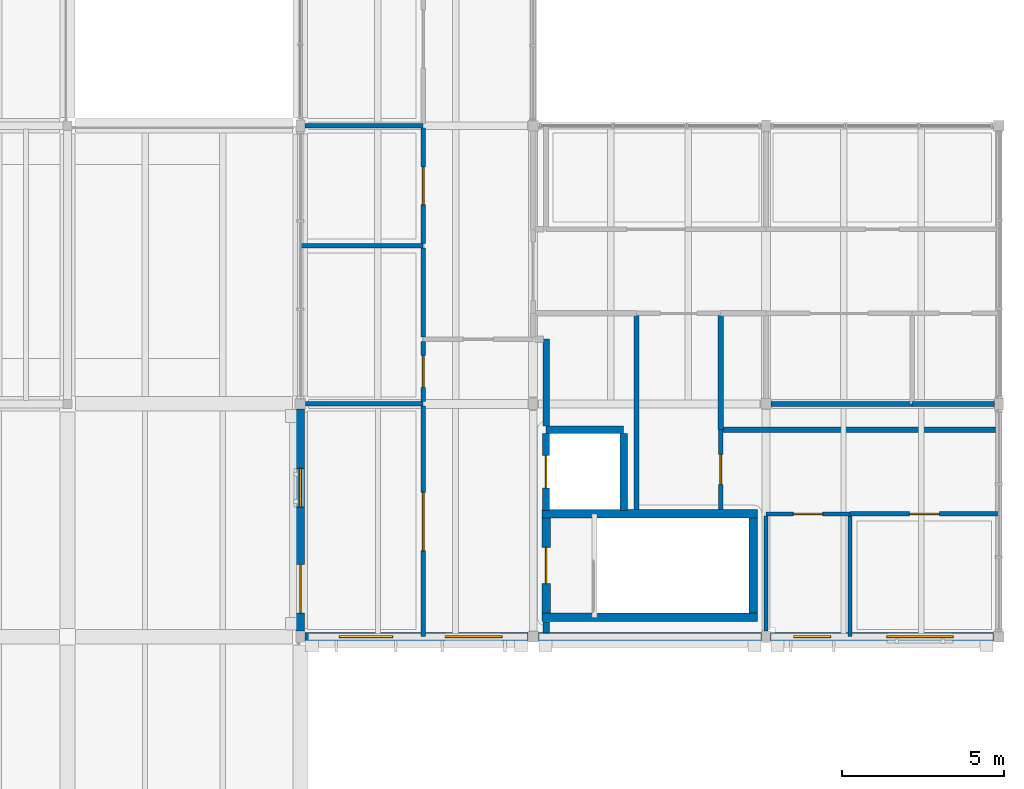
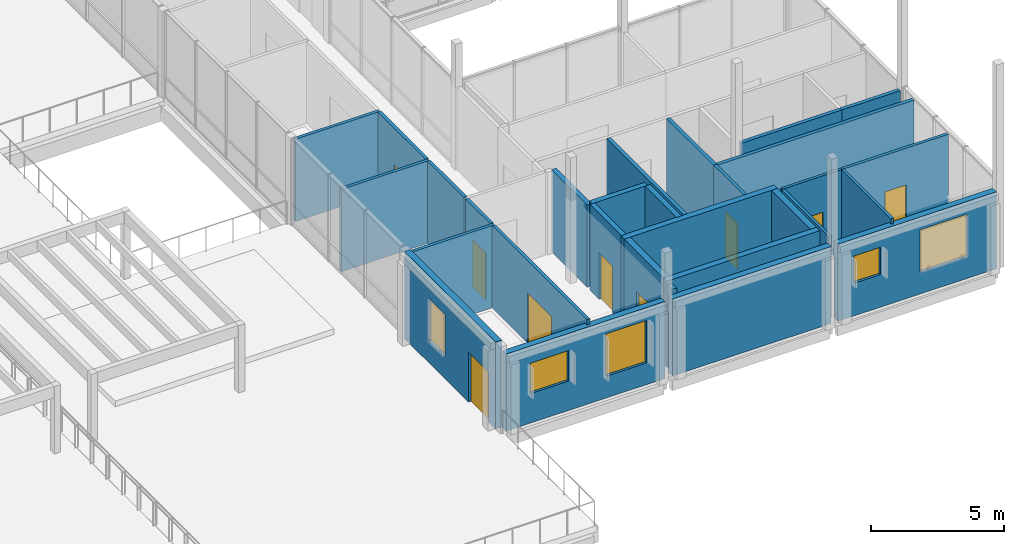
# One storey, part 92 of 115: 30 walls, 9 doors, 5 windows, 14 openings.
"""IFC4 building model written with IfcOpenShell, lengths in metres."""

from ifc_helpers import new_model, si_unit, direction, frame, frame_2d, origin, place, context, subcontext, project, spatial, rectangle, extrude, material, layer, layer_set, type_object, element, fill, save


model = new_model("IFC4")

# Units and contexts
model_context = context("Model", 3, precision=1e-05, world=origin(), true_north=direction((0.0, 1.0)))
body_context = subcontext(model_context, "Body", "Model", "MODEL_VIEW")
ifc_project = project(units=[si_unit("LENGTHUNIT", "METRE"), si_unit("AREAUNIT", "SQUARE_METRE"), si_unit("VOLUMEUNIT", "CUBIC_METRE"), si_unit("PLANEANGLEUNIT", "RADIAN"), si_unit("MASSUNIT", "GRAM", prefix="KILO")], contexts=[model_context])

# Site, building, storey
site_placement = place(None, origin())
site = spatial("IfcSite", under=ifc_project, at=site_placement, CompositionType="ELEMENT")
building_placement = place(site_placement, origin())
building = spatial("IfcBuilding", under=site, at=building_placement, Name="Hawrajan Terrace Health Centre", CompositionType="ELEMENT")
storey_placement = place(building_placement, frame((0.0, 0.0, 9.0)))
storey = spatial("IfcBuildingStorey", under=building, at=storey_placement, Name="L02", CompositionType="ELEMENT", Elevation=9.0)

# Walls
ifc_material_1 = material(Name="Gypsum board on acoustic stud framing")
ifc_layer_1 = layer(ifc_material_1, 0.139892578125)
ifc_layer_set_1 = layer_set([ifc_layer_1], Name="Gypsum board on acoustic stud framing")
wall_type_1 = type_object("IfcWallType", Name="ClinicalAcousticWall_140", PredefinedType="PARTITIONING", material=ifc_layer_set_1)
wall_1_placement = place(storey_placement, frame((143.9599609375, 18.60009765625, 0.0), z_axis=(0.0, 0.0, 1.0), x_axis=(1.0, 0.0, 0.0)))
element("IfcWall", 1, at=wall_1_placement, inside=storey, type_object=wall_type_1, Name="Interior wall IW-L02-1163", PredefinedType="PARTITIONING", context=body_context, shape_type="SweptSolid", body=[
    extrude(rectangle(XDim=3.64013671875, YDim=0.139892578125, at=frame_2d((1.820068359375, 0.0))), origin(), (0.0, 0.0, 1.0), 3.780029296875),
])
wall_2_placement = place(storey_placement, frame((143.800048828125, 23.485107421875, 0.0), z_axis=(0.0, 0.0, 1.0), x_axis=(1.0, 0.0, 0.0)))
element("IfcWall", 2, at=wall_2_placement, inside=storey, type_object=wall_type_1, Name="Interior wall IW-L02-1164", PredefinedType="PARTITIONING", context=body_context, shape_type="SweptSolid", body=[
    extrude(rectangle(XDim=3.800048828125, YDim=0.139892578125, at=frame_2d((1.89990234375, 0.0))), origin(), (0.0, 0.0, 1.0), 3.780029296875),
])
wall_3_placement = place(storey_placement, frame((143.93994140625, 27.199951171875, 0.0), z_axis=(0.0, 0.0, 1.0), x_axis=(1.0, 0.0, 0.0)))
element("IfcWall", 3, at=wall_3_placement, inside=storey, type_object=wall_type_1, Name="Interior wall IW-L02-1165", PredefinedType="PARTITIONING", context=body_context, shape_type="SweptSolid", body=[
    extrude(rectangle(XDim=3.66015625, YDim=0.139892578125, at=frame_2d((1.830078125, 0.0))), origin(), (0.0, 0.0, 1.0), 3.780029296875),
])

# Wall, opening, door
wall_4_placement = place(storey_placement, frame((147.60009765625, 11.39990234375, 0.0), z_axis=(0.0, 0.0, 1.0), x_axis=(0.0, 1.0, 0.0)))
wall_4 = element("IfcWall", 4, at=wall_4_placement, inside=storey, type_object=wall_type_1, Name="Interior wall IW-L02-1170", PredefinedType="PARTITIONING", context=body_context, shape_type="SweptSolid", body=[
    extrude(rectangle(XDim=7.130126953125, YDim=0.139892578125, at=frame_2d((3.56494140625, 0.0))), origin(), (0.0, 0.0, 1.0), 3.780029296875),
])
opening_1_placement = place(wall_4_placement, frame((2.6650390625, 0.0, 0.0)))
opening_1 = element("IfcOpeningElement", 5, at=opening_1_placement, cuts=wall_4, Name="Opening D-L02-545", PredefinedType="OPENING", context=body_context, shape_type="SweptSolid", body=[
    extrude(rectangle(XDim=1.800048828125, YDim=2.300048828125, at=frame_2d((0.89990234375, 1.14990234375))), frame((0.0, 0.079833984375, 0.0), z_axis=(0.0, -1.0, 0.0), x_axis=(1.0, 0.0, 0.0)), (0.0, 0.0, 1.0), 0.159912109375),
])
ifc_material_2 = material(Name="Hardwood acoustic clinical door leaf and frame", Category="wood")
door_type_1 = type_object("IfcDoorType", Name="EducationHallDoor_1800x2300", OperationType="DOUBLE_DOOR_SINGLE_SWING", PredefinedType="DOOR", material=ifc_material_2)
door_1_placement = place(opening_1_placement, origin())
door_1 = element("IfcDoor", 6, at=door_1_placement, inside=storey, type_object=door_type_1, Name="Interior door D-L02-545", OperationType="DOUBLE_DOOR_SINGLE_SWING", OverallHeight=2.300048828125, OverallWidth=1.800048828125, PredefinedType="DOOR", context=body_context, shape_type="SweptSolid", body=[
    extrude(rectangle(XDim=1.800048828125, YDim=2.300048828125, at=frame_2d((0.89990234375, 1.14990234375))), frame((0.0, 0.02490234375, 0.0), z_axis=(0.0, -1.0, 0.0), x_axis=(1.0, 0.0, 0.0)), (0.0, 0.0, 1.0), 0.050048828125),
])
fill(opening_1, door_1)

wall_5_placement = place(storey_placement, frame((147.60009765625, 18.669921875, 0.0), z_axis=(0.0, 0.0, 1.0), x_axis=(0.0, 1.0, 0.0)))
wall_5 = element("IfcWall", 7, at=wall_5_placement, inside=storey, type_object=wall_type_1, Name="Interior wall IW-L02-1171", PredefinedType="PARTITIONING", context=body_context, shape_type="SweptSolid", body=[
    extrude(rectangle(XDim=1.860107421875, YDim=0.139892578125, at=frame_2d((0.93017578125, 0.0))), origin(), (0.0, 0.0, 1.0), 3.780029296875),
])
opening_2_placement = place(wall_5_placement, frame((0.43994140625, 0.0, 0.0)))
opening_2 = element("IfcOpeningElement", 8, at=opening_2_placement, cuts=wall_5, Name="Opening D-L02-546", PredefinedType="OPENING", context=body_context, shape_type="SweptSolid", body=[
    extrude(rectangle(XDim=0.97998046875, YDim=2.14990234375, at=frame_2d((0.489990234375, 1.074951171875))), frame((0.0, 0.079833984375, 0.0), z_axis=(0.0, -1.0, 0.0), x_axis=(1.0, 0.0, 0.0)), (0.0, 0.0, 1.0), 0.159912109375),
])
door_type_2 = type_object("IfcDoorType", Name="ConsultDoor_980x2150", OperationType="NOTDEFINED", PredefinedType="DOOR", material=ifc_material_2)
door_2_placement = place(opening_2_placement, origin())
door_2 = element("IfcDoor", 9, at=door_2_placement, inside=storey, type_object=door_type_2, Name="Interior door D-L02-546", OperationType="SINGLE_SWING_RIGHT", OverallHeight=2.14990234375, OverallWidth=0.97998046875, PredefinedType="DOOR", context=body_context, shape_type="SweptSolid", body=[
    extrude(rectangle(XDim=0.97998046875, YDim=2.14990234375, at=frame_2d((0.489990234375, 1.074951171875))), frame((0.0, 0.02490234375, 0.0), z_axis=(0.0, -1.0, 0.0), x_axis=(1.0, 0.0, 0.0)), (0.0, 0.0, 1.0), 0.050048828125),
])
fill(opening_2, door_2)

# Wall
wall_6_placement = place(storey_placement, frame((147.60009765625, 20.669921875, 0.0), z_axis=(0.0, 0.0, 1.0), x_axis=(0.0, 1.0, 0.0)))
element("IfcWall", 10, at=wall_6_placement, inside=storey, type_object=wall_type_1, Name="Interior wall IW-L02-1172", PredefinedType="PARTITIONING", context=body_context, shape_type="SweptSolid", body=[
    extrude(rectangle(XDim=2.7451171875, YDim=0.139892578125, at=frame_2d((1.37255859375, 0.0))), origin(), (0.0, 0.0, 1.0), 3.780029296875),
])

# Wall, opening, door
wall_7_placement = place(storey_placement, frame((147.60009765625, 23.554931640625, 0.0), z_axis=(0.0, 0.0, 1.0), x_axis=(0.0, 1.0, 0.0)))
wall_7 = element("IfcWall", 11, at=wall_7_placement, inside=storey, type_object=wall_type_1, Name="Interior wall IW-L02-1174", PredefinedType="PARTITIONING", context=body_context, shape_type="SweptSolid", body=[
    extrude(rectangle(XDim=3.574951171875, YDim=0.139892578125, at=frame_2d((1.78759765625, 0.0))), origin(), (0.0, 0.0, 1.0), 3.780029296875),
])
opening_3_placement = place(wall_7_placement, frame((1.20751953125, 0.0, 0.0)))
opening_3 = element("IfcOpeningElement", 12, at=opening_3_placement, cuts=wall_7, Name="Opening D-L02-547", PredefinedType="OPENING", context=body_context, shape_type="SweptSolid", body=[
    extrude(rectangle(XDim=1.159912109375, YDim=2.10009765625, at=frame_2d((0.580078125, 1.050048828125))), frame((0.0, 0.079833984375, 0.0), z_axis=(0.0, -1.0, 0.0), x_axis=(1.0, 0.0, 0.0)), (0.0, 0.0, 1.0), 0.159912109375),
])
door_type_3 = type_object("IfcDoorType", Name="ConsultDoor_1160x2100", OperationType="NOTDEFINED", PredefinedType="DOOR", material=ifc_material_2)
door_3_placement = place(opening_3_placement, origin())
door_3 = element("IfcDoor", 13, at=door_3_placement, inside=storey, type_object=door_type_3, Name="Interior door D-L02-547", OperationType="SINGLE_SWING_LEFT", OverallHeight=2.10009765625, OverallWidth=1.159912109375, PredefinedType="DOOR", context=body_context, shape_type="SweptSolid", body=[
    extrude(rectangle(XDim=1.159912109375, YDim=2.10009765625, at=frame_2d((0.580078125, 1.050048828125))), frame((0.0, 0.02490234375, 0.0), z_axis=(0.0, -1.0, 0.0), x_axis=(1.0, 0.0, 0.0)), (0.0, 0.0, 1.0), 0.050048828125),
])
fill(opening_3, door_3)

wall_8_placement = place(storey_placement, frame((156.800048828125, 15.340087890625, 0.0), z_axis=(0.0, 0.0, 1.0), x_axis=(0.0, 1.0, 0.0)))
wall_8 = element("IfcWall", 14, at=wall_8_placement, inside=storey, type_object=wall_type_1, Name="Interior wall IW-L02-1191", PredefinedType="PARTITIONING", context=body_context, shape_type="SweptSolid", body=[
    extrude(rectangle(XDim=2.4599609375, YDim=0.139892578125, at=frame_2d((1.22998046875, 0.0))), origin(), (0.0, 0.0, 1.0), 3.780029296875),
])
opening_4_placement = place(wall_8_placement, frame((0.77001953125, 0.0, 0.0)))
opening_4 = element("IfcOpeningElement", 15, at=opening_4_placement, cuts=wall_8, Name="Opening D-L02-456", PredefinedType="OPENING", context=body_context, shape_type="SweptSolid", body=[
    extrude(rectangle(XDim=0.919921875, YDim=2.10009765625, at=frame_2d((0.4599609375, 1.050048828125))), frame((0.0, 0.079833984375, 0.0), z_axis=(0.0, -1.0, 0.0), x_axis=(1.0, 0.0, 0.0)), (0.0, 0.0, 1.0), 0.159912109375),
])
door_type_4 = type_object("IfcDoorType", Name="StaffOfficeDoor_920x2100", OperationType="NOTDEFINED", PredefinedType="DOOR", material=ifc_material_2)
door_4_placement = place(opening_4_placement, origin())
door_4 = element("IfcDoor", 16, at=door_4_placement, inside=storey, type_object=door_type_4, Name="Interior door D-L02-456", OperationType="SINGLE_SWING_RIGHT", OverallHeight=2.10009765625, OverallWidth=0.919921875, PredefinedType="DOOR", context=body_context, shape_type="SweptSolid", body=[
    extrude(rectangle(XDim=0.919921875, YDim=2.10009765625, at=frame_2d((0.4599609375, 1.050048828125))), frame((0.0, 0.02490234375, 0.0), z_axis=(0.0, -1.0, 0.0), x_axis=(1.0, 0.0, 0.0)), (0.0, 0.0, 1.0), 0.050048828125),
])
fill(opening_4, door_4)

wall_9_placement = place(storey_placement, frame((160.800048828125, 15.199951171875, 0.0), z_axis=(0.0, 0.0, 1.0), x_axis=(1.0, 0.0, 0.0)))
wall_9 = element("IfcWall", 17, at=wall_9_placement, inside=storey, type_object=wall_type_1, Name="Interior wall IW-L02-1202", PredefinedType="PARTITIONING", context=body_context, shape_type="SweptSolid", body=[
    extrude(rectangle(XDim=4.599853515625, YDim=0.139892578125, at=frame_2d((2.2998046875, 0.0))), origin(), (0.0, 0.0, 1.0), 3.780029296875),
])
opening_5_placement = place(wall_9_placement, frame((1.840087890625, 0.0, 0.0)))
opening_5 = element("IfcOpeningElement", 18, at=opening_5_placement, cuts=wall_9, Name="Opening D-L02-556", PredefinedType="OPENING", context=body_context, shape_type="SweptSolid", body=[
    extrude(rectangle(XDim=0.919921875, YDim=2.10009765625, at=frame_2d((0.4599609375, 1.050048828125))), frame((0.0, 0.079833984375, 0.0), z_axis=(0.0, -1.0, 0.0), x_axis=(1.0, 0.0, 0.0)), (0.0, 0.0, 1.0), 0.159912109375),
])
door_5_placement = place(opening_5_placement, origin())
door_5 = element("IfcDoor", 19, at=door_5_placement, inside=storey, type_object=door_type_4, Name="Interior door D-L02-556", OperationType="SINGLE_SWING_RIGHT", OverallHeight=2.10009765625, OverallWidth=0.919921875, PredefinedType="DOOR", context=body_context, shape_type="SweptSolid", body=[
    extrude(rectangle(XDim=0.919921875, YDim=2.10009765625, at=frame_2d((0.4599609375, 1.050048828125))), frame((0.0, 0.02490234375, 0.0), z_axis=(0.0, -1.0, 0.0), x_axis=(1.0, 0.0, 0.0)), (0.0, 0.0, 1.0), 0.050048828125),
])
fill(opening_5, door_5)

# Walls
ifc_material_3 = material(Name="Concrete C40/50", Category="concrete")
ifc_layer_2 = layer(ifc_material_3, 0.260009765625)
ifc_layer_set_2 = layer_set([ifc_layer_2], Name="Concrete C40/50")
wall_type_2 = type_object("IfcWallType", Name="CoreShearWall_RC260", PredefinedType="SHEAR", material=ifc_layer_set_2)
for number, where, z_axis, x_axis, name in (
    (20, (151.27001953125, 12.0, 0.0), (0.0, 0.0, 1.0), (1.0, 0.0, 0.0), "Core shear wall SW-S8-L02-S"),
    (21, (151.27001953125, 15.199951171875, 0.0), (0.0, 0.0, 1.0), (1.0, 0.0, 0.0), "Core shear wall SW-S8-L02-N"),
):
    element("IfcWall", number, at=place(storey_placement, frame(where, z_axis=z_axis, x_axis=x_axis)), inside=storey, type_object=wall_type_2, Name=name, PredefinedType="SHEAR", context=body_context, shape_type="SweptSolid", body=[
        extrude(rectangle(XDim=6.659912109375, YDim=0.260009765625, at=frame_2d((3.330078125, 0.0))), origin(), (0.0, 0.0, 1.0), 3.949951171875),
    ])

# Wall, opening, door
wall_10_placement = place(storey_placement, frame((151.39990234375, 12.1298828125, 0.0), z_axis=(0.0, 0.0, 1.0), x_axis=(0.0, 1.0, 0.0)))
wall_10 = element("IfcWall", 22, at=wall_10_placement, inside=storey, type_object=wall_type_2, Name="Core shear wall SW-S8-L02-W", PredefinedType="SHEAR", context=body_context, shape_type="SweptSolid", body=[
    extrude(rectangle(XDim=2.940185546875, YDim=0.260009765625, at=frame_2d((1.47021484375, 0.0))), origin(), (0.0, 0.0, 1.0), 3.949951171875),
])
opening_6_placement = place(wall_10_placement, frame((0.909912109375, 0.0, 0.0)))
opening_6 = element("IfcOpeningElement", 23, at=opening_6_placement, cuts=wall_10, Name="Opening D-L02-436", PredefinedType="OPENING", context=body_context, shape_type="SweptSolid", body=[
    extrude(rectangle(XDim=1.1201171875, YDim=2.10009765625, at=frame_2d((0.56005859375, 1.050048828125))), frame((0.0, 0.139892578125, 0.0), z_axis=(0.0, -1.0, 0.0), x_axis=(1.0, 0.0, 0.0)), (0.0, 0.0, 1.0), 0.280029296875),
])
ifc_material_4 = material(Name="Timber-veneered acoustic fire-resisting door assembly", Category="wood")
door_type_5 = type_object("IfcDoorType", Name="CoreStairDoor_1120x2100", OperationType="NOTDEFINED", PredefinedType="DOOR", material=ifc_material_4)
door_6_placement = place(opening_6_placement, origin())
door_6 = element("IfcDoor", 24, at=door_6_placement, inside=storey, type_object=door_type_5, Name="Interior door D-L02-436", OperationType="SINGLE_SWING_RIGHT", OverallHeight=2.10009765625, OverallWidth=1.1201171875, PredefinedType="DOOR", context=body_context, shape_type="SweptSolid", body=[
    extrude(rectangle(XDim=1.1201171875, YDim=2.10009765625, at=frame_2d((0.56005859375, 1.050048828125))), frame((0.0, 0.02490234375, 0.0), z_axis=(0.0, -1.0, 0.0), x_axis=(1.0, 0.0, 0.0)), (0.0, 0.0, 1.0), 0.050048828125),
])
fill(opening_6, door_6)

# Walls
wall_11_placement = place(storey_placement, frame((157.800048828125, 12.1298828125, 0.0), z_axis=(0.0, 0.0, 1.0), x_axis=(0.0, 1.0, 0.0)))
element("IfcWall", 25, at=wall_11_placement, inside=storey, type_object=wall_type_2, Name="Core shear wall SW-S8-L02-E", PredefinedType="SHEAR", context=body_context, shape_type="SweptSolid", body=[
    extrude(rectangle(XDim=2.940185546875, YDim=0.260009765625, at=frame_2d((1.47021484375, 0.0))), origin(), (0.0, 0.0, 1.0), 3.949951171875),
])
ifc_layer_3 = layer(ifc_material_1, 0.159912109375)
ifc_layer_set_3 = layer_set([ifc_layer_3], Name="Gypsum board on acoustic stud framing")
wall_type_3 = type_object("IfcWallType", Name="CorridorFireWall_160", PredefinedType="PARTITIONING", material=ifc_layer_set_3)
wall_12_placement = place(storey_placement, frame((156.800048828125, 17.800048828125, 0.0), z_axis=(0.0, 0.0, 1.0), x_axis=(0.0, 1.0, 0.0)))
element("IfcWall", 26, at=wall_12_placement, inside=storey, type_object=wall_type_3, Name="Interior wall IW-L02-1241", PredefinedType="PARTITIONING", context=body_context, shape_type="SweptSolid", body=[
    extrude(rectangle(XDim=3.530029296875, YDim=0.159912109375, at=frame_2d((1.76513671875, 0.0))), origin(), (0.0, 0.0, 1.0), 3.780029296875),
])
wall_13_placement = place(storey_placement, frame((154.199951171875, 15.340087890625, 0.0), z_axis=(0.0, 0.0, 1.0), x_axis=(0.0, 1.0, 0.0)))
element("IfcWall", 27, at=wall_13_placement, inside=storey, type_object=wall_type_3, Name="Interior wall IW-L02-1242", PredefinedType="PARTITIONING", context=body_context, shape_type="SweptSolid", body=[
    extrude(rectangle(XDim=5.989990234375, YDim=0.159912109375, at=frame_2d((2.9951171875, 0.0))), origin(), (0.0, 0.0, 1.0), 3.780029296875),
])
wall_14_placement = place(storey_placement, frame((165.39990234375, 17.800048828125, 0.0), z_axis=(0.0, 0.0, 1.0), x_axis=(-1.0, 0.0, 0.0)))
element("IfcWall", 28, at=wall_14_placement, inside=storey, type_object=wall_type_3, Name="Interior wall IW-L02-1243", PredefinedType="PARTITIONING", context=body_context, shape_type="SweptSolid", body=[
    extrude(rectangle(XDim=8.599853515625, YDim=0.159912109375, at=frame_2d((4.2998046875, 0.0))), origin(), (0.0, 0.0, 1.0), 3.780029296875),
])
wall_15_placement = place(storey_placement, frame((158.360107421875, 18.60009765625, 0.0), z_axis=(0.0, 0.0, 1.0), x_axis=(1.0, 0.0, 0.0)))
element("IfcWall", 29, at=wall_15_placement, inside=storey, type_object=wall_type_3, Name="Interior wall IW-L02-1265", PredefinedType="PARTITIONING", context=body_context, shape_type="SweptSolid", body=[
    extrude(rectangle(XDim=4.361572265625, YDim=0.159912109375, at=frame_2d((2.1806640625, 0.0))), origin(), (0.0, 0.0, 1.0), 3.780029296875),
])
wall_16_placement = place(storey_placement, frame((162.7216796875, 18.60009765625, 0.0), z_axis=(0.0, 0.0, 1.0), x_axis=(1.0, 0.0, 0.0)))
element("IfcWall", 30, at=wall_16_placement, inside=storey, type_object=wall_type_3, Name="Interior wall IW-L02-1267", PredefinedType="PARTITIONING", context=body_context, shape_type="SweptSolid", body=[
    extrude(rectangle(XDim=2.538330078125, YDim=0.159912109375, at=frame_2d((1.26904296875, 0.0))), origin(), (0.0, 0.0, 1.0), 3.780029296875),
])
ifc_material_5 = material(Name="Cross-laminated timber CLT C24", Category="wood")
ifc_layer_4 = layer(ifc_material_5, 0.199951171875)
ifc_layer_set_4 = layer_set([ifc_layer_4], Name="Cross-laminated timber CLT C24")
wall_type_4 = type_object("IfcWallType", Name="FireCompartmentWall_200", PredefinedType="PARTITIONING", material=ifc_layer_set_4)
wall_17_placement = place(storey_placement, frame((151.39990234375, 11.514892578125, 0.0), z_axis=(0.0, 0.0, 1.0), x_axis=(0.0, 1.0, 0.0)))
element("IfcWall", 31, at=wall_17_placement, inside=storey, type_object=wall_type_4, Name="Interior wall IW-L02-1220", PredefinedType="PARTITIONING", context=body_context, shape_type="SweptSolid", body=[
    extrude(rectangle(XDim=0.34521484375, YDim=0.199951171875, at=frame_2d((0.172607421875, 0.0))), origin(), (0.0, 0.0, 1.0), 3.780029296875),
])
wall_18_placement = place(storey_placement, frame((151.39990234375, 17.909912109375, 0.0), z_axis=(0.0, 0.0, 1.0), x_axis=(0.0, 1.0, 0.0)))
element("IfcWall", 32, at=wall_18_placement, inside=storey, type_object=wall_type_4, Name="Interior wall IW-L02-1221", PredefinedType="PARTITIONING", context=body_context, shape_type="SweptSolid", body=[
    extrude(rectangle(XDim=2.690185546875, YDim=0.199951171875, at=frame_2d((1.34521484375, 0.0))), origin(), (0.0, 0.0, 1.0), 3.780029296875),
])

# Wall, openings, windows
ifc_layer_5 = layer(ifc_material_5, 0.27001953125)
ifc_layer_set_5 = layer_set([ifc_layer_5], Name="Cross-laminated timber CLT C24")
wall_type_5 = type_object("IfcWallType", Name="PavilionFacadeWall_270", PredefinedType="SOLIDWALL", material=ifc_layer_set_5)
wall_19_placement = place(storey_placement, frame((143.93994140625, 11.39990234375, 0.0), z_axis=(0.0, 0.0, 1.0), x_axis=(1.0, 0.0, 0.0)))
wall_19 = element("IfcWall", 33, at=wall_19_placement, inside=storey, type_object=wall_type_5, Name="Exterior wall EW-L02-H18-01-1", PredefinedType="SOLIDWALL", context=body_context, shape_type="SweptSolid", body=[
    extrude(rectangle(XDim=6.900146484375, YDim=0.27001953125, at=frame_2d((3.4501953125, 0.0))), origin(), (0.0, 0.0, 1.0), 3.5400390625),
])
opening_7_placement = place(wall_19_placement, frame((1.06494140625, 0.0, 1.35009765625)))
opening_7 = element("IfcOpeningElement", 34, at=opening_7_placement, cuts=wall_19, Name="Opening W-L02-160", PredefinedType="OPENING", context=body_context, shape_type="SweptSolid", body=[
    extrude(rectangle(XDim=1.64990234375, YDim=1.39990234375, at=frame_2d((0.824951171875, 0.699951171875))), frame((0.0, 0.14501953125, 0.0), z_axis=(0.0, -1.0, 0.0), x_axis=(1.0, 0.0, 0.0)), (0.0, 0.0, 1.0), 0.2900390625),
])
opening_8_placement = place(wall_19_placement, frame((4.340087890625, 0.0, 1.0)))
opening_8 = element("IfcOpeningElement", 35, at=opening_8_placement, cuts=wall_19, Name="Opening W-L02-161", PredefinedType="OPENING", context=body_context, shape_type="SweptSolid", body=[
    extrude(rectangle(XDim=1.760009765625, YDim=1.949951171875, at=frame_2d((0.8798828125, 0.97509765625))), frame((0.0, 0.14501953125, 0.0), z_axis=(0.0, -1.0, 0.0), x_axis=(1.0, 0.0, 0.0)), (0.0, 0.0, 1.0), 0.2900390625),
])
ifc_material_6 = material(Name="Anodized bronze frame with double low-E glazing", Category="glass")
window_type_1 = type_object("IfcWindowType", Name="FacadeWindow_1650x1400", PartitioningType="DOUBLE_PANEL_VERTICAL", PredefinedType="WINDOW", material=ifc_material_6)
window_1_placement = place(opening_7_placement, origin())
window_1 = element("IfcWindow", 36, at=window_1_placement, inside=storey, type_object=window_type_1, Name="Window W-L02-160", OverallHeight=1.39990234375, OverallWidth=1.64990234375, PartitioningType="DOUBLE_PANEL_VERTICAL", PredefinedType="WINDOW", context=body_context, shape_type="SweptSolid", body=[
    extrude(rectangle(XDim=1.64990234375, YDim=1.39990234375, at=frame_2d((0.824951171875, 0.699951171875))), frame((0.0, 0.030029296875, 0.0), z_axis=(0.0, -1.0, 0.0), x_axis=(1.0, 0.0, 0.0)), (0.0, 0.0, 1.0), 0.06005859375),
])
fill(opening_7, window_1)
window_type_2 = type_object("IfcWindowType", Name="FacadeWindow_1760x1950", PartitioningType="DOUBLE_PANEL_VERTICAL", PredefinedType="WINDOW", material=ifc_material_6)
window_2_placement = place(opening_8_placement, origin())
window_2 = element("IfcWindow", 37, at=window_2_placement, inside=storey, type_object=window_type_2, Name="Window W-L02-161", OverallHeight=1.949951171875, OverallWidth=1.760009765625, PartitioningType="DOUBLE_PANEL_VERTICAL", PredefinedType="WINDOW", context=body_context, shape_type="SweptSolid", body=[
    extrude(rectangle(XDim=1.760009765625, YDim=1.949951171875, at=frame_2d((0.8798828125, 0.97509765625))), frame((0.0, 0.030029296875, 0.0), z_axis=(0.0, -1.0, 0.0), x_axis=(1.0, 0.0, 0.0)), (0.0, 0.0, 1.0), 0.06005859375),
])
fill(opening_8, window_2)

# Wall, openings, window, door
wall_20_placement = place(storey_placement, frame((143.800048828125, 11.580078125, 0.0), z_axis=(0.0, 0.0, 1.0), x_axis=(0.0, 1.0, 0.0)))
wall_20 = element("IfcWall", 38, at=wall_20_placement, inside=storey, type_object=wall_type_5, Name="Exterior wall EW-L02-V18-01-1", PredefinedType="SOLIDWALL", context=body_context, shape_type="SweptSolid", body=[
    extrude(rectangle(XDim=6.85986328125, YDim=0.27001953125, at=frame_2d((3.429931640625, 0.0))), origin(), (0.0, 0.0, 1.0), 4.0),
])
opening_9_placement = place(wall_20_placement, frame((0.550048828125, 0.0, 0.0)))
opening_9 = element("IfcOpeningElement", 39, at=opening_9_placement, cuts=wall_20, Name="Opening D-L02-E020", PredefinedType="OPENING", context=body_context, shape_type="SweptSolid", body=[
    extrude(rectangle(XDim=1.5, YDim=2.300048828125, at=frame_2d((0.75, 1.14990234375))), frame((0.0, 0.14501953125, 0.0), z_axis=(0.0, -1.0, 0.0), x_axis=(1.0, 0.0, 0.0)), (0.0, 0.0, 1.0), 0.2900390625),
])
opening_10_placement = place(wall_20_placement, frame((3.824951171875, 0.0, 1.0)))
opening_10 = element("IfcOpeningElement", 40, at=opening_10_placement, cuts=wall_20, Name="Opening W-L02-162", PredefinedType="OPENING", context=body_context, shape_type="SweptSolid", body=[
    extrude(rectangle(XDim=1.199951171875, YDim=1.949951171875, at=frame_2d((0.60009765625, 0.97509765625))), frame((0.0, 0.14501953125, 0.0), z_axis=(0.0, -1.0, 0.0), x_axis=(1.0, 0.0, 0.0)), (0.0, 0.0, 1.0), 0.2900390625),
])
window_type_3 = type_object("IfcWindowType", Name="FacadeWindow_1200x1950", PartitioningType="SINGLE_PANEL", PredefinedType="WINDOW", material=ifc_material_6)
window_3_placement = place(opening_10_placement, origin())
window_3 = element("IfcWindow", 41, at=window_3_placement, inside=storey, type_object=window_type_3, Name="Window W-L02-162", OverallHeight=1.949951171875, OverallWidth=1.199951171875, PartitioningType="SINGLE_PANEL", PredefinedType="WINDOW", context=body_context, shape_type="SweptSolid", body=[
    extrude(rectangle(XDim=1.199951171875, YDim=1.949951171875, at=frame_2d((0.60009765625, 0.97509765625))), frame((0.0, 0.030029296875, 0.0), z_axis=(0.0, -1.0, 0.0), x_axis=(1.0, 0.0, 0.0)), (0.0, 0.0, 1.0), 0.06005859375),
])
fill(opening_10, window_3)
ifc_material_7 = material(Name="Anodized bronze thermally broken fire-rated glazed door")
door_type_6 = type_object("IfcDoorType", Name="TerraceAccessDoor_1500x2300", OperationType="DOUBLE_DOOR_SINGLE_SWING", PredefinedType="DOOR", material=ifc_material_7)
door_7_placement = place(opening_9_placement, origin())
door_7 = element("IfcDoor", 42, at=door_7_placement, inside=storey, type_object=door_type_6, Name="Pavilion South Terrace Door D-L02-E020", OperationType="DOUBLE_DOOR_SINGLE_SWING", OverallHeight=2.300048828125, OverallWidth=1.5, PredefinedType="DOOR", context=body_context, shape_type="SweptSolid", body=[
    extrude(rectangle(XDim=1.5, YDim=2.300048828125, at=frame_2d((0.75, 1.14990234375))), frame((0.0, 0.02490234375, 0.0), z_axis=(0.0, -1.0, 0.0), x_axis=(1.0, 0.0, 0.0)), (0.0, 0.0, 1.0), 0.050048828125),
])
fill(opening_9, door_7)

# Wall
wall_21_placement = place(storey_placement, frame((151.159912109375, 11.39990234375, 0.0), z_axis=(0.0, 0.0, 1.0), x_axis=(1.0, 0.0, 0.0)))
element("IfcWall", 43, at=wall_21_placement, inside=storey, type_object=wall_type_5, Name="Exterior wall EW-L02-H19-01-1", PredefinedType="SOLIDWALL", context=body_context, shape_type="SweptSolid", body=[
    extrude(rectangle(XDim=6.900146484375, YDim=0.27001953125, at=frame_2d((3.4501953125, 0.0))), origin(), (0.0, 0.0, 1.0), 3.5400390625),
])

# Wall, openings, windows
wall_22_placement = place(storey_placement, frame((158.340087890625, 11.39990234375, 0.0), z_axis=(0.0, 0.0, 1.0), x_axis=(1.0, 0.0, 0.0)))
wall_22 = element("IfcWall", 44, at=wall_22_placement, inside=storey, type_object=wall_type_5, Name="Exterior wall EW-L02-H20-01-1", PredefinedType="SOLIDWALL", context=body_context, shape_type="SweptSolid", body=[
    extrude(rectangle(XDim=6.89990234375, YDim=0.27001953125, at=frame_2d((3.449951171875, 0.0))), origin(), (0.0, 0.0, 1.0), 3.5400390625),
])
opening_11_placement = place(wall_22_placement, frame((0.715087890625, 0.0, 1.5)))
opening_11 = element("IfcOpeningElement", 45, at=opening_11_placement, cuts=wall_22, Name="Opening W-L02-167", PredefinedType="OPENING", context=body_context, shape_type="SweptSolid", body=[
    extrude(rectangle(XDim=1.14990234375, YDim=1.25, at=frame_2d((0.574951171875, 0.625))), frame((0.0, 0.14501953125, 0.0), z_axis=(0.0, -1.0, 0.0), x_axis=(1.0, 0.0, 0.0)), (0.0, 0.0, 1.0), 0.2900390625),
])
opening_12_placement = place(wall_22_placement, frame((3.594970703125, 0.0, 1.0)))
opening_12 = element("IfcOpeningElement", 46, at=opening_12_placement, cuts=wall_22, Name="Opening W-L02-168", PredefinedType="OPENING", context=body_context, shape_type="SweptSolid", body=[
    extrude(rectangle(XDim=2.050048828125, YDim=1.949951171875, at=frame_2d((1.02490234375, 0.97509765625))), frame((0.0, 0.14501953125, 0.0), z_axis=(0.0, -1.0, 0.0), x_axis=(1.0, 0.0, 0.0)), (0.0, 0.0, 1.0), 0.2900390625),
])
window_type_4 = type_object("IfcWindowType", Name="FacadeWindow_1150x1250", PartitioningType="SINGLE_PANEL", PredefinedType="WINDOW", material=ifc_material_6)
window_4_placement = place(opening_11_placement, origin())
window_4 = element("IfcWindow", 47, at=window_4_placement, inside=storey, type_object=window_type_4, Name="Window W-L02-167", OverallHeight=1.25, OverallWidth=1.14990234375, PartitioningType="SINGLE_PANEL", PredefinedType="WINDOW", context=body_context, shape_type="SweptSolid", body=[
    extrude(rectangle(XDim=1.14990234375, YDim=1.25, at=frame_2d((0.574951171875, 0.625))), frame((0.0, 0.030029296875, 0.0), z_axis=(0.0, -1.0, 0.0), x_axis=(1.0, 0.0, 0.0)), (0.0, 0.0, 1.0), 0.06005859375),
])
fill(opening_11, window_4)
window_type_5 = type_object("IfcWindowType", Name="FacadeWindow_2050x1950", PartitioningType="DOUBLE_PANEL_VERTICAL", PredefinedType="WINDOW", material=ifc_material_6)
window_5_placement = place(opening_12_placement, origin())
window_5 = element("IfcWindow", 48, at=window_5_placement, inside=storey, type_object=window_type_5, Name="Window W-L02-168", OverallHeight=1.949951171875, OverallWidth=2.050048828125, PartitioningType="DOUBLE_PANEL_VERTICAL", PredefinedType="WINDOW", context=body_context, shape_type="SweptSolid", body=[
    extrude(rectangle(XDim=2.050048828125, YDim=1.949951171875, at=frame_2d((1.02490234375, 0.97509765625))), frame((0.0, 0.030029296875, 0.0), z_axis=(0.0, -1.0, 0.0), x_axis=(1.0, 0.0, 0.0)), (0.0, 0.0, 1.0), 0.06005859375),
])
fill(opening_12, window_5)

# Wall
ifc_layer_6 = layer(ifc_material_3, 0.219970703125)
ifc_layer_set_6 = layer_set([ifc_layer_6], Name="Concrete C40/50")
wall_type_6 = type_object("IfcWallType", Name="ShaftWall_RC220", PredefinedType="SOLIDWALL", material=ifc_layer_set_6)
wall_23_placement = place(storey_placement, frame((151.39990234375, 17.800048828125, 0.0), z_axis=(0.0, 0.0, 1.0), x_axis=(1.0, 0.0, 0.0)))
element("IfcWall", 49, at=wall_23_placement, inside=storey, type_object=wall_type_6, Name="Lift shaft wall LW-LC-06-L02-N", PredefinedType="SOLIDWALL", context=body_context, shape_type="SweptSolid", body=[
    extrude(rectangle(XDim=2.400146484375, YDim=0.219970703125, at=frame_2d((1.2001953125, 0.0))), origin(), (0.0, 0.0, 1.0), 3.949951171875),
])

# Wall, opening, door
wall_24_placement = place(storey_placement, frame((151.39990234375, 15.31005859375, 0.0), z_axis=(0.0, 0.0, 1.0), x_axis=(0.0, 1.0, 0.0)))
wall_24 = element("IfcWall", 50, at=wall_24_placement, inside=storey, type_object=wall_type_6, Name="Lift shaft wall LW-LC-06-L02-W", PredefinedType="SOLIDWALL", context=body_context, shape_type="SweptSolid", body=[
    extrude(rectangle(XDim=2.3798828125, YDim=0.219970703125, at=frame_2d((1.18994140625, 0.0))), origin(), (0.0, 0.0, 1.0), 3.949951171875),
])
opening_13_placement = place(wall_24_placement, frame((0.68994140625, 0.0, 0.0)))
opening_13 = element("IfcOpeningElement", 51, at=opening_13_placement, cuts=wall_24, Name="Opening LD-L02-LC-06", PredefinedType="OPENING", context=body_context, shape_type="SweptSolid", body=[
    extrude(rectangle(XDim=1.0, YDim=2.14990234375, at=frame_2d((0.5, 1.074951171875))), frame((0.0, 0.119873046875, 0.0), z_axis=(0.0, -1.0, 0.0), x_axis=(1.0, 0.0, 0.0)), (0.0, 0.0, 1.0), 0.239990234375),
])
ifc_material_8 = material(Name="Brushed bronze stainless-steel sliding lift landing door", Category="steel")
door_type_7 = type_object("IfcDoorType", Name="LiftLandingDoor_1000x2150", OperationType="SLIDING_TO_LEFT", PredefinedType="DOOR", material=ifc_material_8)
door_8_placement = place(opening_13_placement, origin())
door_8 = element("IfcDoor", 52, at=door_8_placement, inside=storey, type_object=door_type_7, Name="Lift landing door LD-L02-LC-06", OperationType="SLIDING_TO_LEFT", OverallHeight=2.14990234375, OverallWidth=1.0, PredefinedType="DOOR", context=body_context, shape_type="SweptSolid", body=[
    extrude(rectangle(XDim=1.0, YDim=2.14990234375, at=frame_2d((0.5, 1.074951171875))), frame((0.0, 0.02490234375, 0.0), z_axis=(0.0, -1.0, 0.0), x_axis=(1.0, 0.0, 0.0)), (0.0, 0.0, 1.0), 0.050048828125),
])
fill(opening_13, door_8)

# Wall
wall_25_placement = place(storey_placement, frame((153.800048828125, 15.31005859375, 0.0), z_axis=(0.0, 0.0, 1.0), x_axis=(0.0, 1.0, 0.0)))
element("IfcWall", 53, at=wall_25_placement, inside=storey, type_object=wall_type_6, Name="Lift shaft wall LW-LC-06-L02-E", PredefinedType="SOLIDWALL", context=body_context, shape_type="SweptSolid", body=[
    extrude(rectangle(XDim=2.3798828125, YDim=0.219970703125, at=frame_2d((1.18994140625, 0.0))), origin(), (0.0, 0.0, 1.0), 3.949951171875),
])

# Wall, opening, door
ifc_material_9 = material(Name="Moisture-resistant board on stud framing")
ifc_layer_7 = layer(ifc_material_9, 0.1201171875)
ifc_layer_set_7 = layer_set([ifc_layer_7], Name="Moisture-resistant board on stud framing")
wall_type_7 = type_object("IfcWallType", Name="WetRoomPartition_120", PredefinedType="PLUMBINGWALL", material=ifc_layer_set_7)
wall_26_placement = place(storey_placement, frame((158.199951171875, 15.199951171875, 0.0), z_axis=(0.0, 0.0, 1.0), x_axis=(1.0, 0.0, 0.0)))
wall_26 = element("IfcWall", 54, at=wall_26_placement, inside=storey, type_object=wall_type_7, Name="Interior wall IW-L02-1193", PredefinedType="PLUMBINGWALL", context=body_context, shape_type="SweptSolid", body=[
    extrude(rectangle(XDim=2.60009765625, YDim=0.1201171875, at=frame_2d((1.300048828125, 0.0))), origin(), (0.0, 0.0, 1.0), 3.780029296875),
])
opening_14_placement = place(wall_26_placement, frame((0.85009765625, 0.0, 0.0)))
opening_14 = element("IfcOpeningElement", 55, at=opening_14_placement, cuts=wall_26, Name="Opening D-L02-467", PredefinedType="OPENING", context=body_context, shape_type="SweptSolid", body=[
    extrude(rectangle(XDim=0.89990234375, YDim=2.10009765625, at=frame_2d((0.449951171875, 1.050048828125))), frame((0.0, 0.070068359375, 0.0), z_axis=(0.0, -1.0, 0.0), x_axis=(1.0, 0.0, 0.0)), (0.0, 0.0, 1.0), 0.14013671875),
])
door_type_8 = type_object("IfcDoorType", Name="PatientWCDoor_900x2100", OperationType="NOTDEFINED", PredefinedType="DOOR", material=ifc_material_2)
door_9_placement = place(opening_14_placement, origin())
door_9 = element("IfcDoor", 56, at=door_9_placement, inside=storey, type_object=door_type_8, Name="Interior door D-L02-467", OperationType="SINGLE_SWING_LEFT", OverallHeight=2.10009765625, OverallWidth=0.89990234375, PredefinedType="DOOR", context=body_context, shape_type="SweptSolid", body=[
    extrude(rectangle(XDim=0.89990234375, YDim=2.10009765625, at=frame_2d((0.449951171875, 1.050048828125))), frame((0.0, 0.02490234375, 0.0), z_axis=(0.0, -1.0, 0.0), x_axis=(1.0, 0.0, 0.0)), (0.0, 0.0, 1.0), 0.050048828125),
])
fill(opening_14, door_9)

# Walls
wall_27_placement = place(storey_placement, frame((160.800048828125, 11.39990234375, 0.0), z_axis=(0.0, 0.0, 1.0), x_axis=(0.0, 1.0, 0.0)))
element("IfcWall", 57, at=wall_27_placement, inside=storey, type_object=wall_type_7, Name="Interior wall IW-L02-1201", PredefinedType="PLUMBINGWALL", context=body_context, shape_type="SweptSolid", body=[
    extrude(rectangle(XDim=3.72998046875, YDim=0.1201171875, at=frame_2d((1.864990234375, 0.0))), origin(), (0.0, 0.0, 1.0), 3.780029296875),
])
wall_28_placement = place(storey_placement, frame((158.199951171875, 11.580078125, 0.0), z_axis=(0.0, 0.0, 1.0), x_axis=(0.0, 1.0, 0.0)))
element("IfcWall", 58, at=wall_28_placement, inside=storey, type_object=wall_type_7, Name="Interior wall IW-L02-1252", PredefinedType="PLUMBINGWALL", context=body_context, shape_type="SweptSolid", body=[
    extrude(rectangle(XDim=3.5498046875, YDim=0.1201171875, at=frame_2d((1.77490234375, 0.0))), origin(), (0.0, 0.0, 1.0), 3.780029296875),
])

save(model, "model.ifc")
